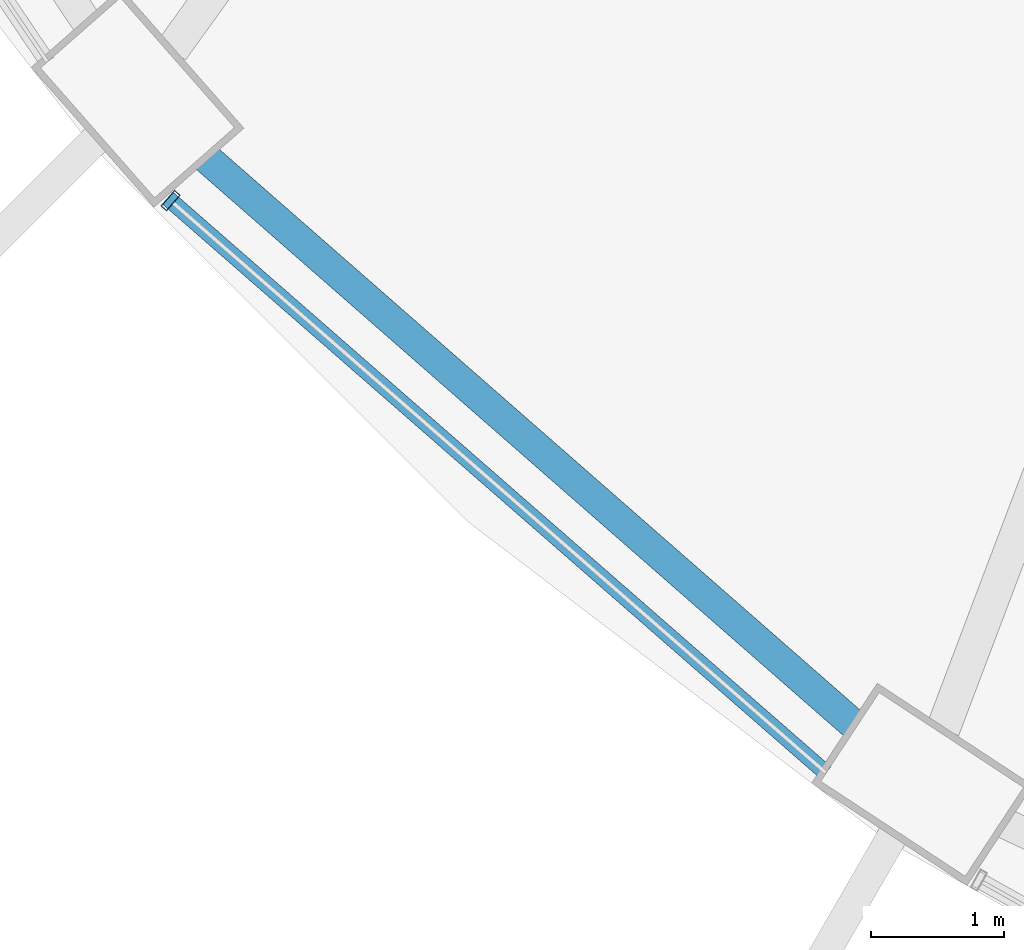
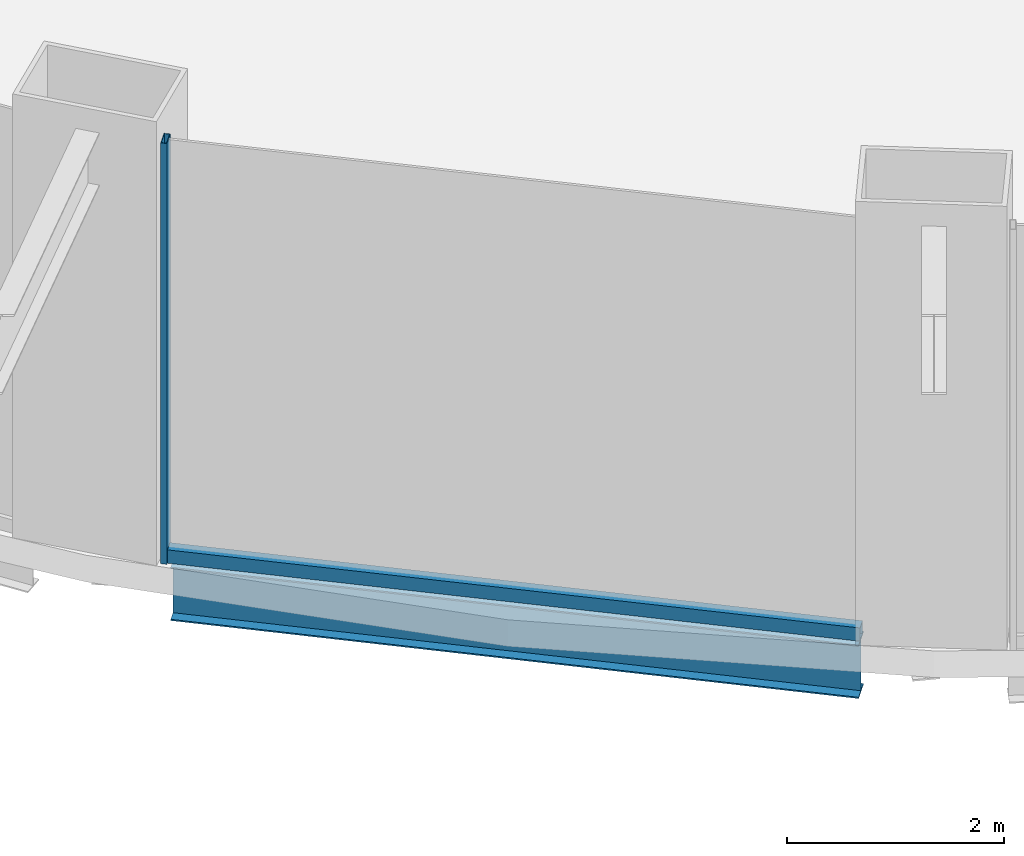
# One storey, part 7 of 52: 2 members, 1 beam, 1 element without a shape of its own.
"""IFC4 building model written with IfcOpenShell, lengths in metres."""

from ifc_helpers import new_model, si_unit, direction, frame, origin, origin_2d, place, context, subcontext, project, spatial, hollow_rectangle, i_section, extrude, material, layer, layer_set, material_profile, profile_set, type_object, element, aggregate, save


model = new_model("IFC4")

# Units and contexts
model_context = context("Model", 3, precision=1e-05, world=origin(), true_north=direction((0.0, 1.0)))
body_context = subcontext(model_context, "Body", "Model", "MODEL_VIEW")
ifc_project = project(units=[si_unit("LENGTHUNIT", "METRE"), si_unit("AREAUNIT", "SQUARE_METRE"), si_unit("VOLUMEUNIT", "CUBIC_METRE"), si_unit("PLANEANGLEUNIT", "RADIAN"), si_unit("MASSUNIT", "GRAM", prefix="KILO")], contexts=[model_context])

# Site, building, storey
site_placement = place(None, origin())
site = spatial("IfcSite", under=ifc_project, at=site_placement, CompositionType="ELEMENT")
building_placement = place(site_placement, origin())
building = spatial("IfcBuilding", under=site, at=building_placement, Name="Nagisa Residences", CompositionType="ELEMENT")
storey_placement = place(building_placement, frame((0.0, 0.0, 22.0)))
storey = spatial("IfcBuildingStorey", under=building, at=storey_placement, Name="L04", CompositionType="ELEMENT", Elevation=22.0)

# Curtain wall, members
ifc_material_1 = material(Name="Stainless steel curtain wall system", Category="steel")
ifc_layer = layer(ifc_material_1, 0.159912109375)
ifc_layer_set = layer_set([ifc_layer], Name="CW6 CURTAIN WALL")
curtain_wall_type = type_object("IfcCurtainWallType", Name="CW6 CURTAIN WALL", PredefinedType="NOTDEFINED", material=ifc_layer_set)
curtain_wall_placement = place(storey_placement, origin())
curtain_wall = element("IfcCurtainWall", 1, at=curtain_wall_placement, inside=storey, type_object=curtain_wall_type, Name="cw:CW6:L04:30", PredefinedType="NOTDEFINED")
ifc_material_2 = material(Name="Stainless steel", Category="steel")
ifc_material_profile_1 = material_profile(ifc_material_2, hollow_rectangle(XDim=0.159912109375, YDim=0.06005859375, WallThickness=0.006103515625, at=origin_2d()), Name="CW6 MULLION 160x60")
ifc_profile_set_1 = profile_set([ifc_material_profile_1], Name="Stainless steel")
member_type_1 = type_object("IfcMemberType", Name="CW6 MULLION 160x60", PredefinedType="MULLION", material=ifc_profile_set_1)
member_1_placement = place(storey_placement, frame((-16.3037109375, -23.75439453125, 0.0), z_axis=(0.0, 0.0, 1.0), x_axis=(0.657721475708, 0.753261216572, 0.0)))
member_1 = element("IfcMember", 2, at=member_1_placement, type_object=member_type_1, Name="CW6 mullion", PredefinedType="MULLION", context=body_context, shape_type="SweptSolid", body=[
    extrude(hollow_rectangle(XDim=0.159912109375, YDim=0.06005859375, WallThickness=0.006103515625, at=origin_2d()), origin(), (0.0, 0.0, 1.0), 4.739990234375),
])
ifc_material_3 = material(Name="Stainless steel", Category="steel")
ifc_material_profile_2 = material_profile(ifc_material_3, hollow_rectangle(XDim=0.1201171875, YDim=0.14990234375, WallThickness=0.008056640625, at=origin_2d()), Name="CW6 TRANSOM 120x150")
ifc_profile_set_2 = profile_set([ifc_material_profile_2], Name="Stainless steel")
member_type_2 = type_object("IfcMemberType", Name="CW6 TRANSOM 120x150", PredefinedType="USERDEFINED", material=ifc_profile_set_2)
member_2_placement = place(storey_placement, frame((-16.326171875, -23.734619140625, 0.074951171875), z_axis=(0.753255020636, -0.657728571591, 0.0), x_axis=(0.657728571591, 0.753255020636, 0.0)))
member_2 = element("IfcMember", 3, at=member_2_placement, type_object=member_type_2, Name="CW6 transom", ObjectType="TRANSOM", PredefinedType="USERDEFINED", context=body_context, shape_type="SweptSolid", body=[
    extrude(hollow_rectangle(XDim=0.1201171875, YDim=0.14990234375, WallThickness=0.008056640625, at=origin_2d()), origin(), (0.0, 0.0, 1.0), 6.5732421875),
])
aggregate(curtain_wall, [member_1, member_2])

# Beam
ifc_material_4 = material(Name="Steel ASTM A572 Gr 50", Category="steel")
ifc_material_profile_3 = material_profile(ifc_material_4, i_section(OverallWidth=0.22802734375, OverallDepth=0.60302734375, WebThickness=0.010498046875, FlangeThickness=0.014892578125, at=origin_2d()), Name="W610x101")
ifc_profile_set_3 = profile_set([ifc_material_profile_3], Name="Steel ASTM A572 Gr 50")
beam_type = type_object("IfcBeamType", Name="Perimeter ring beam W610x101", PredefinedType="BEAM", material=ifc_profile_set_3)
beam_placement = place(storey_placement, frame((-16.0361328125, -23.432861328125, -0.6015625), z_axis=(0.752574357292, -0.658507279191, 0.0), x_axis=(0.658507279191, 0.752574357292, 0.0)))
element("IfcBeam", 4, at=beam_placement, inside=storey, type_object=beam_type, Name="beam:L04:pb16", PredefinedType="BEAM", context=body_context, shape_type="SweptSolid", body=[
    extrude(i_section(OverallWidth=0.22802734375, OverallDepth=0.60302734375, WebThickness=0.010498046875, FlangeThickness=0.014892578125, at=origin_2d()), origin(), (0.0, 0.0, 1.0), 6.47021484375),
])

save(model, "model.ifc")
